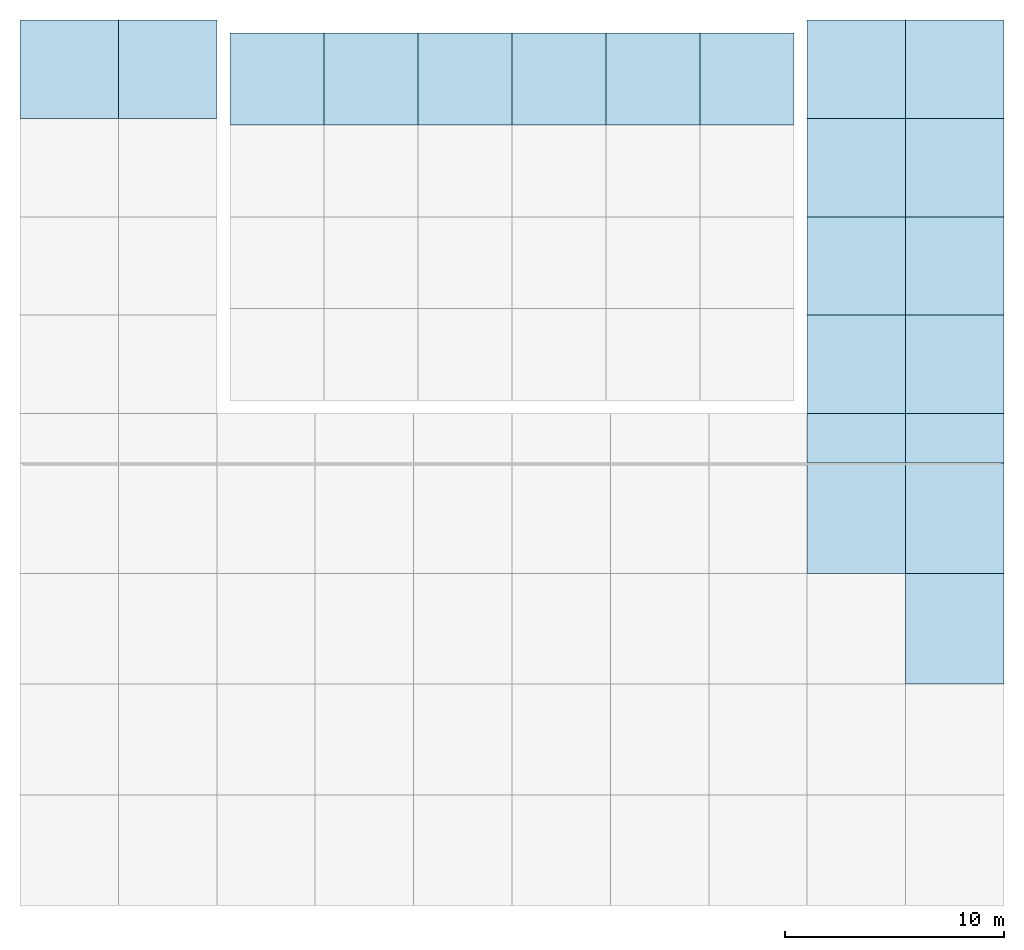
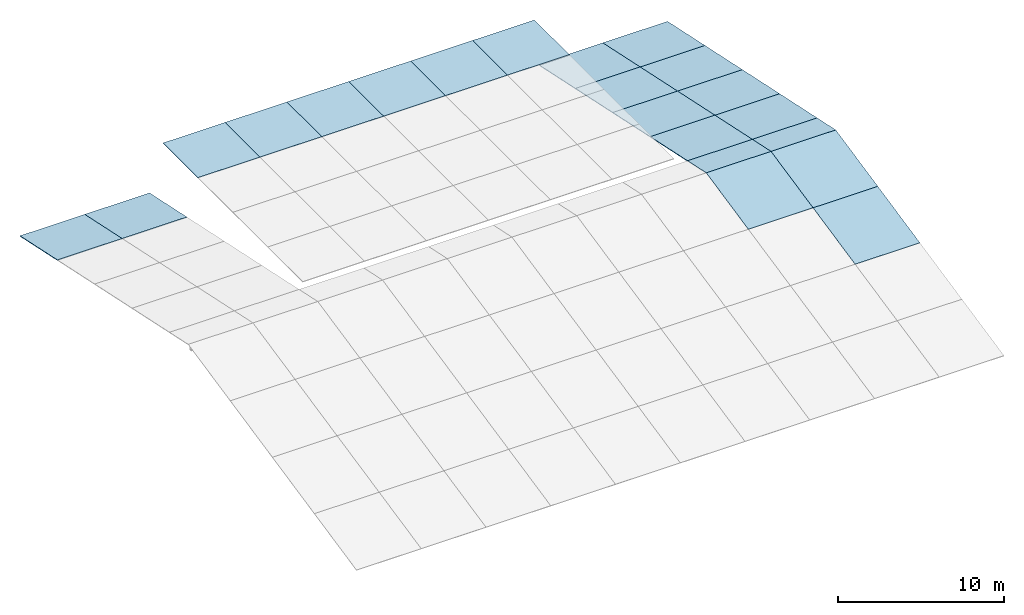
# One storey, part 2 of 2: 21 slabs, 1 element without a shape of its own.
"""IFC4 building model written with IfcOpenShell, lengths in metres."""

from ifc_helpers import new_model, si_unit, direction, frame, origin, place, context, subcontext, project, spatial, polyline, outline, extrude, material, layer, layer_set, type_object, element, aggregate, save


model = new_model("IFC4")

# Units and contexts
model_context = context("Model", 3, precision=1e-05, world=origin(), true_north=direction((0.0, 1.0)))
body_context = subcontext(model_context, "Body", "Model", "MODEL_VIEW")
ifc_project = project(units=[si_unit("LENGTHUNIT", "METRE"), si_unit("AREAUNIT", "SQUARE_METRE"), si_unit("VOLUMEUNIT", "CUBIC_METRE"), si_unit("PLANEANGLEUNIT", "RADIAN"), si_unit("MASSUNIT", "GRAM", prefix="KILO")], contexts=[model_context])

# Site, building, storey
site_placement = place(None, origin())
site = spatial("IfcSite", under=ifc_project, at=site_placement, CompositionType="ELEMENT")
building_placement = place(site_placement, origin())
building = spatial("IfcBuilding", under=site, at=building_placement, Name="Orbiselva Terraces", CompositionType="ELEMENT")
storey_placement = place(building_placement, frame((0.0, 0.0, 311.922)))
storey = spatial("IfcBuildingStorey", under=building, at=storey_placement, Name="ROOF CROWN CANOPY", CompositionType="ELEMENT", Elevation=311.922)

# Roof, slabs
ifc_material = material(Name="Bonded two-ply safety glass", Category="glass")
roof_type = type_object("IfcRoofType", Name="ENV-CROWN-ROOF", PredefinedType="GABLE_ROOF", material=ifc_material)
roof_placement = place(storey_placement, origin())
roof = element("IfcRoof", 1, at=roof_placement, inside=storey, type_object=roof_type, Name="Crown canopy roof", PredefinedType="GABLE_ROOF")
ifc_layer = layer(ifc_material, 0.05)
ifc_layer_set = layer_set([ifc_layer], Name="Bonded two-ply safety glass")
slab_type = type_object("IfcSlabType", Name="ENV-CROWN-GLASS-ROOF-50", PredefinedType="ROOF", material=ifc_layer_set)
slab_1_placement = place(storey_placement, frame((18.0, -7.875, -1.624135), z_axis=(0.0, -0.20791158111, 0.978147624053), x_axis=(1.0, 0.0, 0.0)))
slab_1 = element("IfcSlab", 2, at=slab_1_placement, type_object=slab_type, Name="Crown canopy glass panel", PredefinedType="ROOF", context=body_context, shape_type="SweptSolid", body=[
    extrude(outline(polyline([(0.0, 0.0), (4.5, 0.0), (4.5, 5.175599138118122), (0.0, 5.175599138118122), (0.0, 0.0)])), origin(), (0.0, 0.0, -1.0), 0.05),
])
slab_2_placement = place(storey_placement, frame((13.5, -2.8125, -0.548068), z_axis=(0.0, -0.207911765973, 0.978147584759), x_axis=(1.0, 0.0, 0.0)))
slab_2 = element("IfcSlab", 3, at=slab_2_placement, type_object=slab_type, Name="Crown canopy glass panel", PredefinedType="ROOF", context=body_context, shape_type="SweptSolid", body=[
    extrude(outline(polyline([(0.0, 0.0), (4.5, 0.0), (4.5, 5.1755993460297836), (0.0, 5.1755993460297836), (0.0, 0.0)])), origin(), (0.0, 0.0, -1.0), 0.05),
])
slab_3_placement = place(storey_placement, frame((18.0, -2.8125, -0.548068), z_axis=(0.0, -0.207911765973, 0.978147584759), x_axis=(1.0, 0.0, 0.0)))
slab_3 = element("IfcSlab", 4, at=slab_3_placement, type_object=slab_type, Name="Crown canopy glass panel", PredefinedType="ROOF", context=body_context, shape_type="SweptSolid", body=[
    extrude(outline(polyline([(0.0, 0.0), (4.5, 0.0), (4.5, 5.1755993460297836), (0.0, 5.1755993460297836), (0.0, 0.0)])), origin(), (0.0, 0.0, -1.0), 0.05),
])
slab_4_placement = place(storey_placement, frame((13.5, 2.25, 0.528), z_axis=(0.0, 0.20791158111, 0.978147624053), x_axis=(1.0, 0.0, 0.0)))
slab_4 = element("IfcSlab", 5, at=slab_4_placement, type_object=slab_type, Name="Crown canopy glass panel", PredefinedType="ROOF", context=body_context, shape_type="SweptSolid", body=[
    extrude(outline(polyline([(0.0, 0.0), (4.5, 0.0), (4.5, 2.300266283608052), (0.0, 2.300266283608052), (0.0, 0.0)])), origin(), (0.0, 0.0, -1.0), 0.05),
])
slab_5_placement = place(storey_placement, frame((18.0, 2.25, 0.528), z_axis=(0.0, 0.20791158111, 0.978147624053), x_axis=(1.0, 0.0, 0.0)))
slab_5 = element("IfcSlab", 6, at=slab_5_placement, type_object=slab_type, Name="Crown canopy glass panel", PredefinedType="ROOF", context=body_context, shape_type="SweptSolid", body=[
    extrude(outline(polyline([(0.0, 0.0), (4.5, 0.0), (4.5, 2.300266283608052), (0.0, 2.300266283608052), (0.0, 0.0)])), origin(), (0.0, 0.0, -1.0), 0.05),
])
slab_6_placement = place(storey_placement, frame((13.5, 4.5, 0.049748), z_axis=(0.0, 0.20791178908, 0.978147579847), x_axis=(1.0, 0.0, 0.0)))
slab_6 = element("IfcSlab", 7, at=slab_6_placement, type_object=slab_type, Name="Crown canopy glass panel", PredefinedType="ROOF", context=body_context, shape_type="SweptSolid", body=[
    extrude(outline(polyline([(0.0, 0.0), (4.5, 0.0), (4.5, 4.600532775127787), (0.0, 4.600532775127787), (0.0, 0.0)])), origin(), (0.0, 0.0, -1.0), 0.05),
])
slab_7_placement = place(storey_placement, frame((18.0, 4.5, 0.049748), z_axis=(0.0, 0.20791178908, 0.978147579847), x_axis=(1.0, 0.0, 0.0)))
slab_7 = element("IfcSlab", 8, at=slab_7_placement, type_object=slab_type, Name="Crown canopy glass panel", PredefinedType="ROOF", context=body_context, shape_type="SweptSolid", body=[
    extrude(outline(polyline([(0.0, 0.0), (4.5, 0.0), (4.5, 4.600532775127787), (0.0, 4.600532775127787), (0.0, 0.0)])), origin(), (0.0, 0.0, -1.0), 0.05),
])
slab_8_placement = place(storey_placement, frame((13.5, 9.0, -0.906757), z_axis=(0.0, 0.20791158111, 0.978147624053), x_axis=(1.0, 0.0, 0.0)))
slab_8 = element("IfcSlab", 9, at=slab_8_placement, type_object=slab_type, Name="Crown canopy glass panel", PredefinedType="ROOF", context=body_context, shape_type="SweptSolid", body=[
    extrude(outline(polyline([(0.0, 0.0), (4.5, 0.0), (4.5, 4.600532567216104), (0.0, 4.600532567216104), (0.0, 0.0)])), origin(), (0.0, 0.0, -1.0), 0.05),
])
slab_9_placement = place(storey_placement, frame((18.0, 9.0, -0.906757), z_axis=(0.0, 0.20791158111, 0.978147624053), x_axis=(1.0, 0.0, 0.0)))
slab_9 = element("IfcSlab", 10, at=slab_9_placement, type_object=slab_type, Name="Crown canopy glass panel", PredefinedType="ROOF", context=body_context, shape_type="SweptSolid", body=[
    extrude(outline(polyline([(0.0, 0.0), (4.5, 0.0), (4.5, 4.600532567216104), (0.0, 4.600532567216104), (0.0, 0.0)])), origin(), (0.0, 0.0, -1.0), 0.05),
])
slab_10_placement = place(storey_placement, frame((13.5, 13.5, -1.863261), z_axis=(0.0, 0.20791178908, 0.978147579847), x_axis=(1.0, 0.0, 0.0)))
slab_10 = element("IfcSlab", 11, at=slab_10_placement, type_object=slab_type, Name="Crown canopy glass panel", PredefinedType="ROOF", context=body_context, shape_type="SweptSolid", body=[
    extrude(outline(polyline([(0.0, 0.0), (4.5, 0.0), (4.5, 4.600532775127787), (0.0, 4.600532775127787), (0.0, 0.0)])), origin(), (0.0, 0.0, -1.0), 0.05),
])
slab_11_placement = place(storey_placement, frame((18.0, 13.5, -1.863261), z_axis=(0.0, 0.20791178908, 0.978147579847), x_axis=(1.0, 0.0, 0.0)))
slab_11 = element("IfcSlab", 12, at=slab_11_placement, type_object=slab_type, Name="Crown canopy glass panel", PredefinedType="ROOF", context=body_context, shape_type="SweptSolid", body=[
    extrude(outline(polyline([(0.0, 0.0), (4.5, 0.0), (4.5, 4.600532775127787), (0.0, 4.600532775127787), (0.0, 0.0)])), origin(), (0.0, 0.0, -1.0), 0.05),
])
slab_12_placement = place(storey_placement, frame((-22.5, 18.0, -2.819766), z_axis=(0.0, 0.20791158111, 0.978147624053), x_axis=(1.0, 0.0, 0.0)))
slab_12 = element("IfcSlab", 13, at=slab_12_placement, type_object=slab_type, Name="Crown canopy glass panel", PredefinedType="ROOF", context=body_context, shape_type="SweptSolid", body=[
    extrude(outline(polyline([(0.0, 0.0), (4.5, 0.0), (4.5, 4.600532567216104), (0.0, 4.600532567216104), (0.0, 0.0)])), origin(), (0.0, 0.0, -1.0), 0.05),
])
slab_13_placement = place(storey_placement, frame((-18.0, 18.0, -2.819766), z_axis=(0.0, 0.20791158111, 0.978147624053), x_axis=(1.0, 0.0, 0.0)))
slab_13 = element("IfcSlab", 14, at=slab_13_placement, type_object=slab_type, Name="Crown canopy glass panel", PredefinedType="ROOF", context=body_context, shape_type="SweptSolid", body=[
    extrude(outline(polyline([(0.0, 0.0), (4.5, 0.0), (4.5, 4.600532567216104), (0.0, 4.600532567216104), (0.0, 0.0)])), origin(), (0.0, 0.0, -1.0), 0.05),
])
slab_14_placement = place(storey_placement, frame((13.5, 18.0, -2.819766), z_axis=(0.0, 0.20791158111, 0.978147624053), x_axis=(1.0, 0.0, 0.0)))
slab_14 = element("IfcSlab", 15, at=slab_14_placement, type_object=slab_type, Name="Crown canopy glass panel", PredefinedType="ROOF", context=body_context, shape_type="SweptSolid", body=[
    extrude(outline(polyline([(0.0, 0.0), (4.5, 0.0), (4.5, 4.600532567216104), (0.0, 4.600532567216104), (0.0, 0.0)])), origin(), (0.0, 0.0, -1.0), 0.05),
])
slab_15_placement = place(storey_placement, frame((18.0, 18.0, -2.819766), z_axis=(0.0, 0.20791158111, 0.978147624053), x_axis=(1.0, 0.0, 0.0)))
slab_15 = element("IfcSlab", 16, at=slab_15_placement, type_object=slab_type, Name="Crown canopy glass panel", PredefinedType="ROOF", context=body_context, shape_type="SweptSolid", body=[
    extrude(outline(polyline([(0.0, 0.0), (4.5, 0.0), (4.5, 4.600532567216104), (0.0, 4.600532567216104), (0.0, 0.0)])), origin(), (0.0, 0.0, -1.0), 0.05),
])
slab_16_placement = place(storey_placement, frame((0.0, 0.0, -0.0003)))
slab_16 = element("IfcSlab", 17, at=slab_16_placement, type_object=slab_type, Name="Crown canopy glass panel over the core", PredefinedType="ROOF", context=body_context, shape_type="SweptSolid", body=[
    extrude(outline(polyline([(-12.9, 17.7), (-8.6, 17.7), (-8.6, 21.9), (-12.9, 21.9), (-12.9, 17.7)])), origin(), (0.0, 0.0, 1.0), 0.05),
])
slab_17_placement = place(storey_placement, frame((0.0, 0.0, -0.0003)))
slab_17 = element("IfcSlab", 18, at=slab_17_placement, type_object=slab_type, Name="Crown canopy glass panel over the core", PredefinedType="ROOF", context=body_context, shape_type="SweptSolid", body=[
    extrude(outline(polyline([(-8.6, 17.7), (-4.3, 17.7), (-4.3, 21.9), (-8.6, 21.9), (-8.6, 17.7)])), origin(), (0.0, 0.0, 1.0), 0.05),
])
slab_18_placement = place(storey_placement, frame((0.0, 0.0, -0.0003)))
slab_18 = element("IfcSlab", 19, at=slab_18_placement, type_object=slab_type, Name="Crown canopy glass panel over the core", PredefinedType="ROOF", context=body_context, shape_type="SweptSolid", body=[
    extrude(outline(polyline([(-4.3, 17.7), (0.0, 17.7), (0.0, 21.9), (-4.3, 21.9), (-4.3, 17.7)])), origin(), (0.0, 0.0, 1.0), 0.05),
])
slab_19_placement = place(storey_placement, frame((0.0, 0.0, -0.0003)))
slab_19 = element("IfcSlab", 20, at=slab_19_placement, type_object=slab_type, Name="Crown canopy glass panel over the core", PredefinedType="ROOF", context=body_context, shape_type="SweptSolid", body=[
    extrude(outline(polyline([(0.0, 17.7), (4.3, 17.7), (4.3, 21.9), (0.0, 21.9), (0.0, 17.7)])), origin(), (0.0, 0.0, 1.0), 0.05),
])
slab_20_placement = place(storey_placement, frame((0.0, 0.0, -0.0003)))
slab_20 = element("IfcSlab", 21, at=slab_20_placement, type_object=slab_type, Name="Crown canopy glass panel over the core", PredefinedType="ROOF", context=body_context, shape_type="SweptSolid", body=[
    extrude(outline(polyline([(4.3, 17.7), (8.6, 17.7), (8.6, 21.9), (4.3, 21.9), (4.3, 17.7)])), origin(), (0.0, 0.0, 1.0), 0.05),
])
slab_21_placement = place(storey_placement, frame((0.0, 0.0, -0.0003)))
slab_21 = element("IfcSlab", 22, at=slab_21_placement, type_object=slab_type, Name="Crown canopy glass panel over the core", PredefinedType="ROOF", context=body_context, shape_type="SweptSolid", body=[
    extrude(outline(polyline([(8.6, 17.7), (12.9, 17.7), (12.9, 21.9), (8.6, 21.9), (8.6, 17.7)])), origin(), (0.0, 0.0, 1.0), 0.05),
])
aggregate(roof, [slab_1, slab_2, slab_3, slab_4, slab_5, slab_6, slab_7, slab_8, slab_9, slab_10, slab_11, slab_12, slab_13, slab_14, slab_15, slab_16, slab_17, slab_18, slab_19, slab_20, slab_21])

save(model, "model.ifc")
